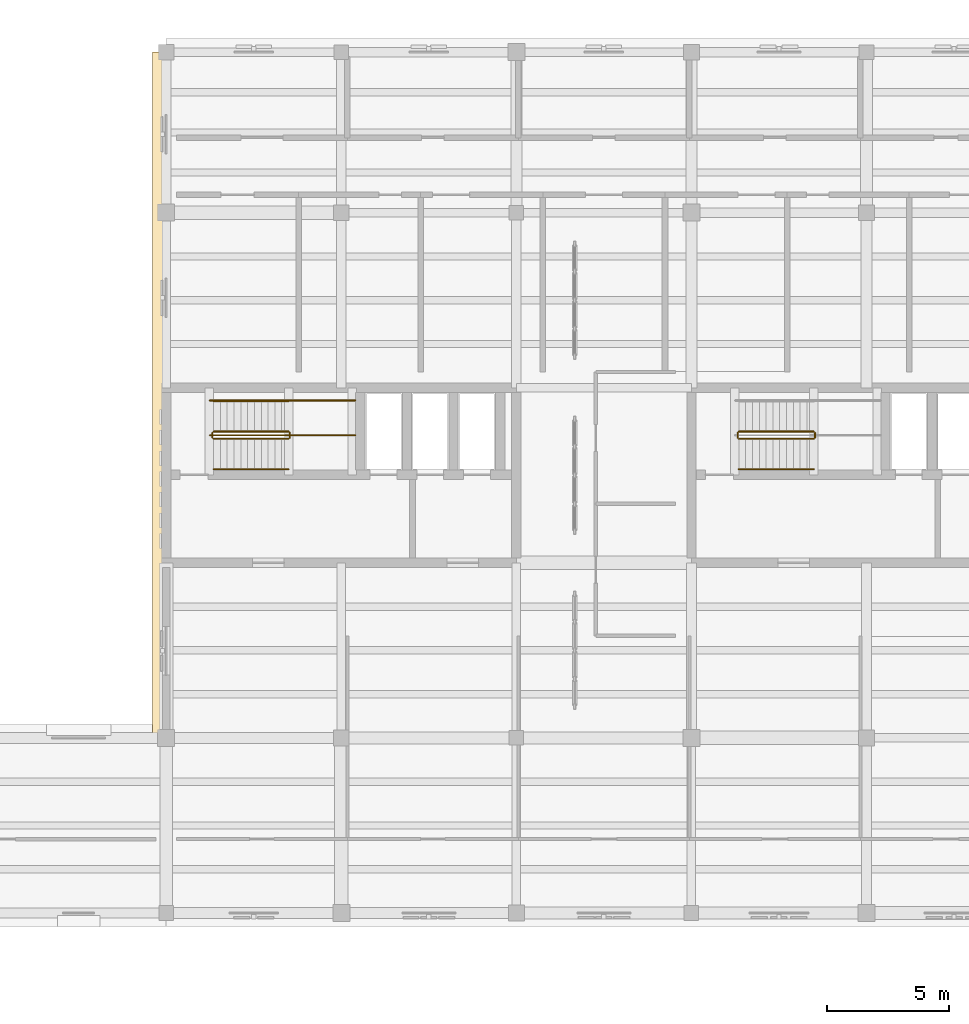
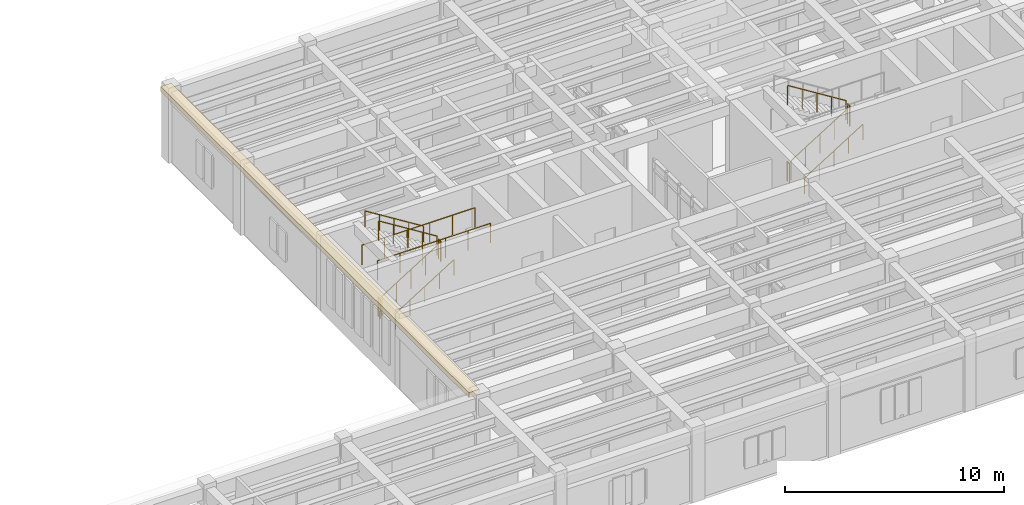
# One storey, part 37 of 40: 13 railings, 1 covering.
"""IFC4 building model written with IfcOpenShell, lengths in metres."""

from ifc_helpers import new_model, si_unit, direction, frame, origin, origin_2d, place, context, subcontext, project, spatial, rectangle, circle, extrude, material, layer, layer_set, type_object, element, save


model = new_model("IFC4")

# Units and contexts
model_context = context("Model", 3, precision=1e-05, world=origin(), true_north=direction((0.0, 1.0)))
body_context = subcontext(model_context, "Body", "Model", "MODEL_VIEW")
ifc_project = project(units=[si_unit("LENGTHUNIT", "METRE"), si_unit("AREAUNIT", "SQUARE_METRE"), si_unit("VOLUMEUNIT", "CUBIC_METRE"), si_unit("PLANEANGLEUNIT", "RADIAN"), si_unit("MASSUNIT", "GRAM", prefix="KILO")], contexts=[model_context])

# Site, building, storey
site_placement = place(None, origin())
site = spatial("IfcSite", under=ifc_project, at=site_placement, CompositionType="ELEMENT")
building_placement = place(site_placement, origin())
building = spatial("IfcBuilding", under=site, at=building_placement, Name="Mithqara Police Headquarters", CompositionType="ELEMENT")
storey_placement = place(building_placement, frame((0.0, 0.0, 13.800048828125)))
storey = spatial("IfcBuildingStorey", under=building, at=storey_placement, Name="L03", CompositionType="ELEMENT", Elevation=13.800048828125)

# Covering
ifc_material_1 = material(Name="Limestone ashlar masonry, 45 MPa", Category="masonry")
ifc_layer = layer(ifc_material_1, 0.320068359375, Name="Limestone ashlar masonry, 45 MPa")
ifc_layer_set = layer_set([ifc_layer], Name="Limestone ashlar masonry, 45 MPa")
covering_type = type_object("IfcCoveringType", Name="CORNICE LIMESTONE", PredefinedType="CLADDING", material=ifc_layer_set)
covering_placement = place(storey_placement, frame((108.320068359375, 99.89990234375, 3.919921875), z_axis=(0.0, 0.0, 1.0), x_axis=(0.0, 1.0, 0.0)))
element("IfcCovering", 1, at=covering_placement, inside=storey, type_object=covering_type, Name="L03 Projecting Ottoman Limestone Eaves Cornice 14", PredefinedType="CLADDING", context=body_context, shape_type="SweptSolid", body=[
    extrude(rectangle(XDim=28.199951171875, YDim=0.56005859375, at=origin_2d()), origin(), (0.0, 0.0, 1.0), 0.280029296875),
])

# Railings
ifc_material_2 = material(Name="Steel S355JR", Category="steel")
railing_type_1 = type_object("IfcRailingType", Name="HANDRAIL 920", PredefinedType="HANDRAIL", material=ifc_material_2)
railing_1_placement = place(storey_placement, frame((110.550048828125, 96.85009765625, 0.175048828125)))
element("IfcRailing", 2, at=railing_1_placement, inside=storey, type_object=railing_type_1, Name="L03 ST-01 stair handrail 1", PredefinedType="HANDRAIL", context=body_context, shape_type="SweptSolid", body=[
    extrude(circle(Radius=0.02392578125, at=origin_2d()), frame((0.0, 0.0, 0.8759765625), z_axis=(0.848009633417, 0.0, 0.529980812513), x_axis=(0.0, 1.0, 0.0)), (0.0, 0.0, 1.0), 3.6318359375),
    extrude(circle(Radius=0.02099609375, at=origin_2d()), origin(), (0.0, 0.0, 1.0), 0.851806640625),
    extrude(circle(Radius=0.02099609375, at=origin_2d()), frame((0.77001953125, 0.0, 0.481201171875)), (0.0, 0.0, 1.0), 0.851806640625),
    extrude(circle(Radius=0.02099609375, at=origin_2d()), frame((1.5400390625, 0.0, 0.96240234375)), (0.0, 0.0, 1.0), 0.851806640625),
    extrude(circle(Radius=0.02099609375, at=origin_2d()), frame((2.309814453125, 0.0, 1.443603515625)), (0.0, 0.0, 1.0), 0.851806640625),
    extrude(circle(Radius=0.02099609375, at=origin_2d()), frame((3.079833984375, 0.0, 1.9248046875)), (0.0, 0.0, 1.0), 0.851806640625),
])
railing_2_placement = place(storey_placement, frame((113.6298828125, 99.64990234375, 2.27490234375)))
element("IfcRailing", 3, at=railing_2_placement, inside=storey, type_object=railing_type_1, Name="L03 ST-01 stair handrail 2", PredefinedType="HANDRAIL", context=body_context, shape_type="SweptSolid", body=[
    extrude(circle(Radius=0.02392578125, at=origin_2d()), frame((0.0, 0.0, 0.8759765625), z_axis=(-0.847979421464, 0.0, 0.530029150871), x_axis=(0.0, -1.0, 0.0)), (0.0, 0.0, 1.0), 3.632080078125),
    extrude(circle(Radius=0.02099609375, at=origin_2d()), origin(), (0.0, 0.0, 1.0), 0.851806640625),
    extrude(circle(Radius=0.02099609375, at=origin_2d()), frame((-0.77001953125, 0.0, 0.481201171875)), (0.0, 0.0, 1.0), 0.851806640625),
    extrude(circle(Radius=0.02099609375, at=origin_2d()), frame((-1.5400390625, 0.0, 0.96240234375)), (0.0, 0.0, 1.0), 0.851806640625),
    extrude(circle(Radius=0.02099609375, at=origin_2d()), frame((-2.309814453125, 0.0, 1.44384765625)), (0.0, 0.0, 1.0), 0.851806640625),
    extrude(circle(Radius=0.02099609375, at=origin_2d()), frame((-3.079833984375, 0.0, 1.925048828125)), (0.0, 0.0, 1.0), 0.851806640625),
])
railing_3_placement = place(storey_placement, frame((132.14990234375, 96.85009765625, 0.175048828125)))
element("IfcRailing", 4, at=railing_3_placement, inside=storey, type_object=railing_type_1, Name="L03 ST-02 stair handrail 1", PredefinedType="HANDRAIL", context=body_context, shape_type="SweptSolid", body=[
    extrude(circle(Radius=0.02392578125, at=origin_2d()), frame((0.0, 0.0, 0.8759765625), z_axis=(0.848028513186, 0.0, 0.529950602248), x_axis=(0.0, 1.0, 0.0)), (0.0, 0.0, 1.0), 3.632080078125),
    extrude(circle(Radius=0.02099609375, at=origin_2d()), origin(), (0.0, 0.0, 1.0), 0.851806640625),
    extrude(circle(Radius=0.02099609375, at=origin_2d()), frame((0.77001953125, 0.0, 0.481201171875)), (0.0, 0.0, 1.0), 0.851806640625),
    extrude(circle(Radius=0.02099609375, at=origin_2d()), frame((1.5400390625, 0.0, 0.96240234375)), (0.0, 0.0, 1.0), 0.851806640625),
    extrude(circle(Radius=0.02099609375, at=origin_2d()), frame((2.31005859375, 0.0, 1.443603515625)), (0.0, 0.0, 1.0), 0.851806640625),
    extrude(circle(Radius=0.02099609375, at=origin_2d()), frame((3.080078125, 0.0, 1.9248046875)), (0.0, 0.0, 1.0), 0.851806640625),
])
railing_type_2 = type_object("IfcRailingType", Name="STAIR GUARD 1120", PredefinedType="GUARDRAIL", material=ifc_material_2)
railing_4_placement = place(storey_placement, frame((110.550048828125, 98.10009765625, 0.175048828125)))
element("IfcRailing", 5, at=railing_4_placement, inside=storey, type_object=railing_type_2, Name="L03 ST-01 stair guard 1", PredefinedType="GUARDRAIL", context=body_context, shape_type="SweptSolid", body=[
    extrude(circle(Radius=0.02392578125, at=origin_2d()), frame((0.0, 0.0, 1.076171875), z_axis=(0.848009633417, 0.0, 0.529980812513), x_axis=(0.0, 1.0, 0.0)), (0.0, 0.0, 1.0), 3.6318359375),
    extrude(circle(Radius=0.02099609375, at=origin_2d()), origin(), (0.0, 0.0, 1.0), 1.052001953125),
    extrude(circle(Radius=0.02099609375, at=origin_2d()), frame((0.77001953125, 0.0, 0.481201171875)), (0.0, 0.0, 1.0), 1.052001953125),
    extrude(circle(Radius=0.02099609375, at=origin_2d()), frame((1.5400390625, 0.0, 0.96240234375)), (0.0, 0.0, 1.0), 1.052001953125),
    extrude(circle(Radius=0.02099609375, at=origin_2d()), frame((2.309814453125, 0.0, 1.443603515625)), (0.0, 0.0, 1.0), 1.052001953125),
    extrude(circle(Radius=0.02099609375, at=origin_2d()), frame((3.079833984375, 0.0, 1.9248046875)), (0.0, 0.0, 1.0), 1.052001953125),
])
railing_5_placement = place(storey_placement, frame((113.679931640625, 98.14990234375, 2.099853515625)))
element("IfcRailing", 6, at=railing_5_placement, inside=storey, type_object=railing_type_2, Name="L03 ST-01 stair guard 2", PredefinedType="GUARDRAIL", context=body_context, shape_type="SweptSolid", body=[
    extrude(circle(Radius=0.02392578125, at=origin_2d()), frame((0.0, 0.0, 1.076171875), z_axis=(0.0, 1.0, 0.0), x_axis=(-1.0, 0.0, 0.0)), (0.0, 0.0, 1.0), 0.2001953125),
    extrude(circle(Radius=0.02099609375, at=origin_2d()), origin(), (0.0, 0.0, 1.0), 1.052001953125),
    extrude(circle(Radius=0.02099609375, at=origin_2d()), frame((0.0, 0.2001953125, 0.0)), (0.0, 0.0, 1.0), 1.052001953125),
])
railing_6_placement = place(storey_placement, frame((113.6298828125, 98.39990234375, 2.27490234375)))
element("IfcRailing", 7, at=railing_6_placement, inside=storey, type_object=railing_type_2, Name="L03 ST-01 stair guard 3", PredefinedType="GUARDRAIL", context=body_context, shape_type="SweptSolid", body=[
    extrude(circle(Radius=0.02392578125, at=origin_2d()), frame((0.0, 0.0, 1.076171875), z_axis=(-0.847979421464, 0.0, 0.530029150871), x_axis=(0.0, -1.0, 0.0)), (0.0, 0.0, 1.0), 3.632080078125),
    extrude(circle(Radius=0.02099609375, at=origin_2d()), origin(), (0.0, 0.0, 1.0), 1.052001953125),
    extrude(circle(Radius=0.02099609375, at=origin_2d()), frame((-0.77001953125, 0.0, 0.481201171875)), (0.0, 0.0, 1.0), 1.052001953125),
    extrude(circle(Radius=0.02099609375, at=origin_2d()), frame((-1.5400390625, 0.0, 0.96240234375)), (0.0, 0.0, 1.0), 1.052001953125),
    extrude(circle(Radius=0.02099609375, at=origin_2d()), frame((-2.309814453125, 0.0, 1.44384765625)), (0.0, 0.0, 1.0), 1.052001953125),
    extrude(circle(Radius=0.02099609375, at=origin_2d()), frame((-3.079833984375, 0.0, 1.925048828125)), (0.0, 0.0, 1.0), 1.052001953125),
])
railing_7_placement = place(storey_placement, frame((110.5, 98.14990234375, 0.0)))
element("IfcRailing", 8, at=railing_7_placement, inside=storey, type_object=railing_type_2, Name="L03 ST-01 stair guard 4", PredefinedType="GUARDRAIL", context=body_context, shape_type="SweptSolid", body=[
    extrude(circle(Radius=0.02392578125, at=origin_2d()), frame((0.0, 0.0, 1.076171875), z_axis=(0.0, 1.0, 0.0), x_axis=(-1.0, 0.0, 0.0)), (0.0, 0.0, 1.0), 0.2001953125),
    extrude(circle(Radius=0.02099609375, at=origin_2d()), origin(), (0.0, 0.0, 1.0), 1.052001953125),
    extrude(circle(Radius=0.02099609375, at=origin_2d()), frame((0.0, 0.2001953125, 0.0)), (0.0, 0.0, 1.0), 1.052001953125),
])
for number, where, name in (
    (9, (110.39990234375, 98.25, 2.099853515625), "L03 ST-01 Half-Landing Guard IN"),
    (10, (110.39990234375, 99.679931640625, 2.099853515625), "L03 ST-01 Half-Landing Guard OUT"),
):
    element("IfcRailing", number, at=place(storey_placement, frame(where)), inside=storey, type_object=railing_type_2, Name=name, PredefinedType="GUARDRAIL", context=body_context, shape_type="SweptSolid", body=[
        extrude(circle(Radius=0.02392578125, at=origin_2d()), frame((0.0, 0.0, 1.09619140625), z_axis=(1.0, 0.0, 0.0), x_axis=(0.0, 1.0, 0.0)), (0.0, 0.0, 1.0), 5.97998046875),
        extrude(circle(Radius=0.02099609375, at=origin_2d()), origin(), (0.0, 0.0, 1.0), 1.072021484375),
        extrude(circle(Radius=0.02099609375, at=origin_2d()), frame((1.196044921875, 0.0, 0.0)), (0.0, 0.0, 1.0), 1.072021484375),
        extrude(circle(Radius=0.02099609375, at=origin_2d()), frame((2.39208984375, 0.0, 0.0)), (0.0, 0.0, 1.0), 1.072021484375),
        extrude(circle(Radius=0.02099609375, at=origin_2d()), frame((3.587890625, 0.0, 0.0)), (0.0, 0.0, 1.0), 1.072021484375),
        extrude(circle(Radius=0.02099609375, at=origin_2d()), frame((4.783935546875, 0.0, 0.0)), (0.0, 0.0, 1.0), 1.072021484375),
        extrude(circle(Radius=0.02099609375, at=origin_2d()), frame((5.97998046875, 0.0, 0.0)), (0.0, 0.0, 1.0), 1.072021484375),
    ])
railing_8_placement = place(storey_placement, frame((132.14990234375, 98.10009765625, 0.175048828125)))
element("IfcRailing", 11, at=railing_8_placement, inside=storey, type_object=railing_type_2, Name="L03 ST-02 stair guard 1", PredefinedType="GUARDRAIL", context=body_context, shape_type="SweptSolid", body=[
    extrude(circle(Radius=0.02392578125, at=origin_2d()), frame((0.0, 0.0, 1.076171875), z_axis=(0.848028513186, 0.0, 0.529950602248), x_axis=(0.0, 1.0, 0.0)), (0.0, 0.0, 1.0), 3.632080078125),
    extrude(circle(Radius=0.02099609375, at=origin_2d()), origin(), (0.0, 0.0, 1.0), 1.052001953125),
    extrude(circle(Radius=0.02099609375, at=origin_2d()), frame((0.77001953125, 0.0, 0.481201171875)), (0.0, 0.0, 1.0), 1.052001953125),
    extrude(circle(Radius=0.02099609375, at=origin_2d()), frame((1.5400390625, 0.0, 0.96240234375)), (0.0, 0.0, 1.0), 1.052001953125),
    extrude(circle(Radius=0.02099609375, at=origin_2d()), frame((2.31005859375, 0.0, 1.443603515625)), (0.0, 0.0, 1.0), 1.052001953125),
    extrude(circle(Radius=0.02099609375, at=origin_2d()), frame((3.080078125, 0.0, 1.9248046875)), (0.0, 0.0, 1.0), 1.052001953125),
])
railing_9_placement = place(storey_placement, frame((135.280029296875, 98.14990234375, 2.099853515625)))
element("IfcRailing", 12, at=railing_9_placement, inside=storey, type_object=railing_type_2, Name="L03 ST-02 stair guard 2", PredefinedType="GUARDRAIL", context=body_context, shape_type="SweptSolid", body=[
    extrude(circle(Radius=0.02392578125, at=origin_2d()), frame((0.0, 0.0, 1.076171875), z_axis=(0.0, 1.0, 0.0), x_axis=(-1.0, 0.0, 0.0)), (0.0, 0.0, 1.0), 0.2001953125),
    extrude(circle(Radius=0.02099609375, at=origin_2d()), origin(), (0.0, 0.0, 1.0), 1.052001953125),
    extrude(circle(Radius=0.02099609375, at=origin_2d()), frame((0.0, 0.2001953125, 0.0)), (0.0, 0.0, 1.0), 1.052001953125),
])
railing_10_placement = place(storey_placement, frame((135.22998046875, 98.39990234375, 2.27490234375)))
element("IfcRailing", 13, at=railing_10_placement, inside=storey, type_object=railing_type_2, Name="L03 ST-02 stair guard 3", PredefinedType="GUARDRAIL", context=body_context, shape_type="SweptSolid", body=[
    extrude(circle(Radius=0.02392578125, at=origin_2d()), frame((0.0, 0.0, 1.076171875), z_axis=(-0.847998304005, 0.0, 0.529998940003), x_axis=(0.0, -1.0, 0.0)), (0.0, 0.0, 1.0), 3.632080078125),
    extrude(circle(Radius=0.02099609375, at=origin_2d()), origin(), (0.0, 0.0, 1.0), 1.052001953125),
    extrude(circle(Radius=0.02099609375, at=origin_2d()), frame((-0.77001953125, 0.0, 0.481201171875)), (0.0, 0.0, 1.0), 1.052001953125),
    extrude(circle(Radius=0.02099609375, at=origin_2d()), frame((-1.5400390625, 0.0, 0.96240234375)), (0.0, 0.0, 1.0), 1.052001953125),
    extrude(circle(Radius=0.02099609375, at=origin_2d()), frame((-2.31005859375, 0.0, 1.44384765625)), (0.0, 0.0, 1.0), 1.052001953125),
    extrude(circle(Radius=0.02099609375, at=origin_2d()), frame((-3.080078125, 0.0, 1.925048828125)), (0.0, 0.0, 1.0), 1.052001953125),
])
railing_11_placement = place(storey_placement, frame((132.10009765625, 98.14990234375, 0.0)))
element("IfcRailing", 14, at=railing_11_placement, inside=storey, type_object=railing_type_2, Name="L03 ST-02 stair guard 4", PredefinedType="GUARDRAIL", context=body_context, shape_type="SweptSolid", body=[
    extrude(circle(Radius=0.02392578125, at=origin_2d()), frame((0.0, 0.0, 1.076171875), z_axis=(0.0, 1.0, 0.0), x_axis=(-1.0, 0.0, 0.0)), (0.0, 0.0, 1.0), 0.2001953125),
    extrude(circle(Radius=0.02099609375, at=origin_2d()), origin(), (0.0, 0.0, 1.0), 1.052001953125),
    extrude(circle(Radius=0.02099609375, at=origin_2d()), frame((0.0, 0.2001953125, 0.0)), (0.0, 0.0, 1.0), 1.052001953125),
])

save(model, "model.ifc")
